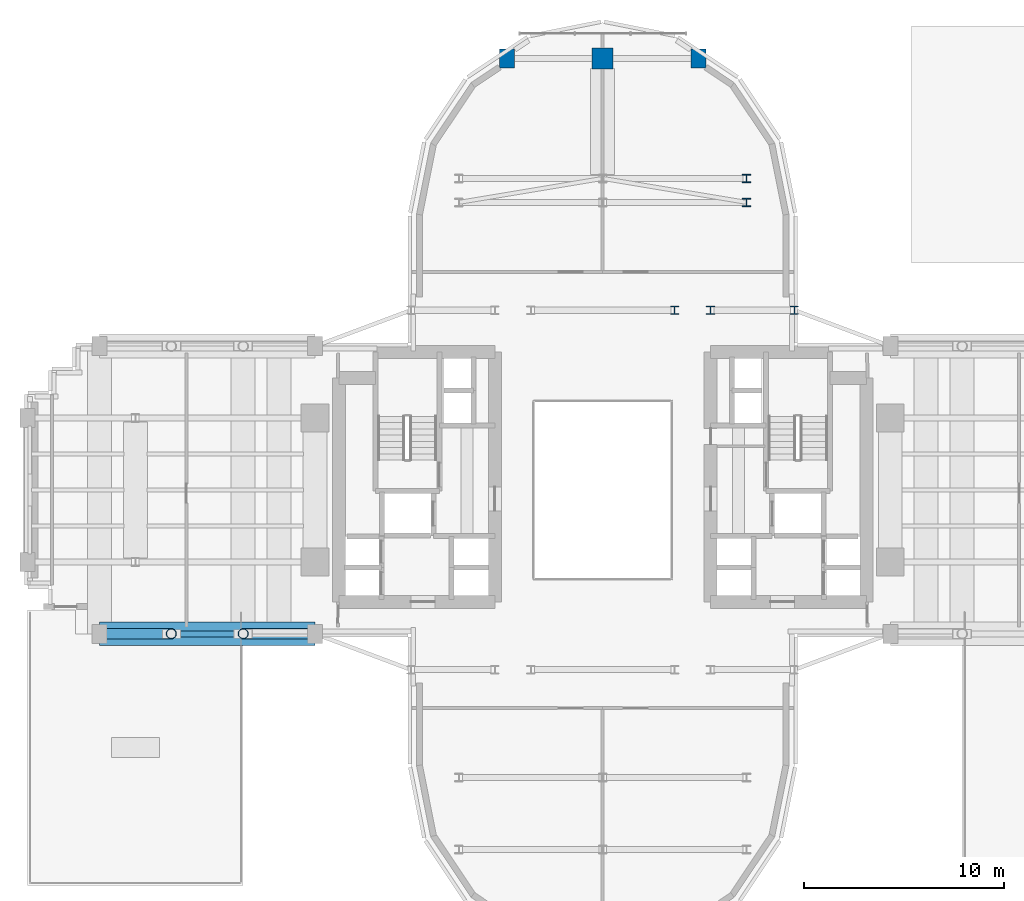
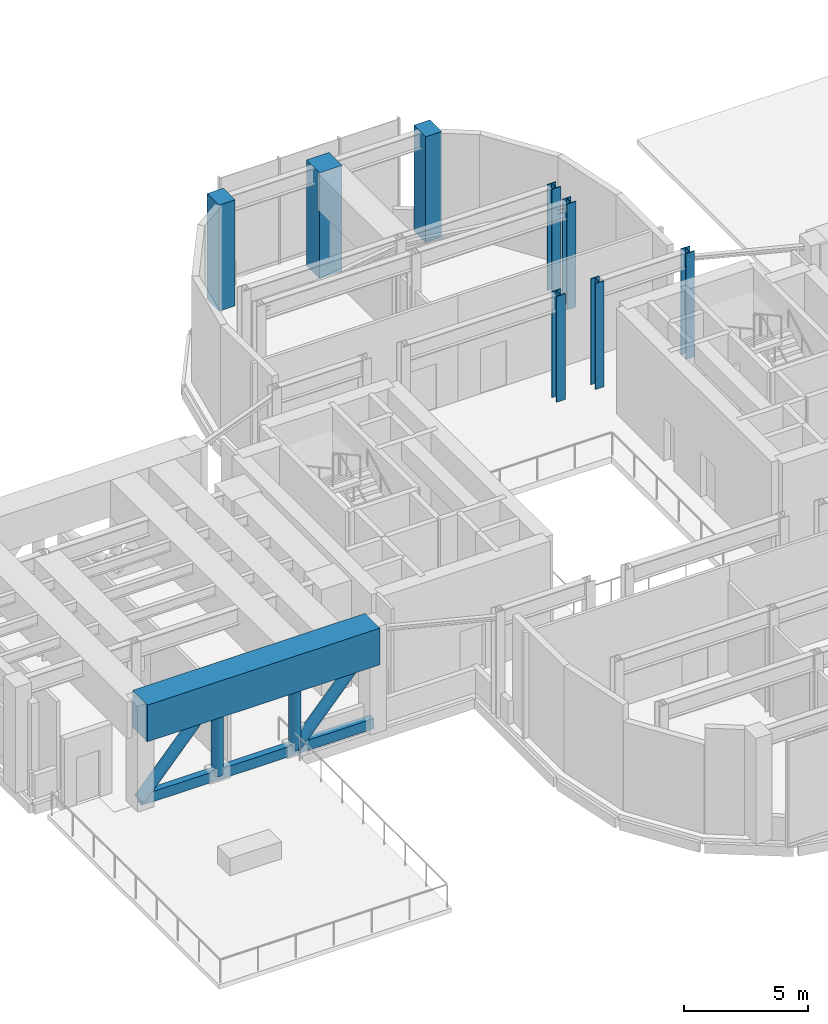
# One storey, part 2 of 16: 8 columns, 5 members, 1 beam.
"""IFC4 building model written with IfcOpenShell, lengths in metres."""

import ifcopenshell
import ifcopenshell.guid

model = None  # the IFC model being written
_history = None  # IfcOwnerHistory: only IFC2X3 demands one
_inside = {}  # id of a spatial element -> (the spatial element, [elements in it])
_under = {}  # id of a project, library or spatial element -> (it, [spatial elements below it])
_declared = {}  # id of a project -> (the project, [libraries it declares])
_typed = {}  # id of a type object -> (the type object, [elements of that type])
_made_of = {}  # id of a material, layer set ... -> (it, [elements and type objects made of it])


def new_model(schema):
    """Start an empty IFC model of exactly this schema.

    Asked for "IFC4X3", IfcOpenShell would pick the latest addendum, in which some entities
    have other attributes; the version numbers below select the first issue.
    IFC2X3 requires an IfcOwnerHistory on every rooted entity: one is made here for all.
    """
    global model, _history
    if schema == "IFC4X3":
        model = ifcopenshell.file(schema_version=(4, 3, 0, 0))
    else:
        model = ifcopenshell.file(schema=schema)
    _inside.clear()
    _under.clear()
    _declared.clear()
    _typed.clear()
    _made_of.clear()
    _history = None
    if model.schema == "IFC2X3":
        org = make("IfcOrganization", Name="unknown")
        user = make(
            "IfcPersonAndOrganization",
            ThePerson=make("IfcPerson", FamilyName="unknown"),
            TheOrganization=org,
        )
        app = make(
            "IfcApplication",
            ApplicationDeveloper=org,
            Version="unknown",
            ApplicationFullName="unknown",
            ApplicationIdentifier="unknown",
        )
        _history = make(
            "IfcOwnerHistory",
            OwningUser=user,
            OwningApplication=app,
            ChangeAction="ADDED",
            CreationDate=0,
        )
    return model


def make(cls, **values):
    """One entity of the class cls with the attributes given. An attribute that is None is left unset."""
    return model.create_entity(
        cls, **{name: value for name, value in values.items() if value is not None}
    )


def rooted(cls, **values):
    """An entity with a GlobalId (a new one), such as an element, a storey or a relation."""
    return make(cls, GlobalId=ifcopenshell.guid.new(), OwnerHistory=_history, **values)


def si_unit(unit_type, name, prefix=None):
    """IfcSIUnit, for example si_unit("LENGTHUNIT", "METRE", prefix="MILLI")."""
    return make("IfcSIUnit", UnitType=unit_type, Prefix=prefix, Name=name)


def assignment(units):
    """IfcUnitAssignment: the units of a project."""
    return None if units is None else make("IfcUnitAssignment", Units=units)


def point(xyz):
    """IfcCartesianPoint."""
    return None if xyz is None else make("IfcCartesianPoint", Coordinates=xyz)


def direction(xyz):
    """IfcDirection."""
    return None if xyz is None else make("IfcDirection", DirectionRatios=xyz)


def frame(location, z_axis=None, x_axis=None):
    """IfcAxis2Placement3D, a coordinate frame: its origin and axes. An axis left out is left unset."""
    return make(
        "IfcAxis2Placement3D",
        Location=point(location),
        Axis=direction(z_axis),
        RefDirection=direction(x_axis),
    )


def frame_2d(location, x_axis=None):
    """IfcAxis2Placement2D, a coordinate frame in the plane: its origin and x axis."""
    return make(
        "IfcAxis2Placement2D", Location=point(location), RefDirection=direction(x_axis)
    )


def origin():
    """The frame at (0, 0, 0) with its axes left unset."""
    return frame((0.0, 0.0, 0.0))


def origin_2d():
    """The frame at (0, 0) in the plane with its x axis left unset."""
    return frame_2d((0.0, 0.0))


def place(relative_to, where):
    """IfcLocalPlacement: puts the frame where relative to a parent placement (None: the world)."""
    return make(
        "IfcLocalPlacement", PlacementRelTo=relative_to, RelativePlacement=where
    )


def context(
    kind, dimensions, precision=None, world=None, true_north=None, identifier=None
):
    """IfcGeometricRepresentationContext, for example the 3D "Model" context."""
    return make(
        "IfcGeometricRepresentationContext",
        ContextIdentifier=identifier,
        ContextType=kind,
        CoordinateSpaceDimension=dimensions,
        Precision=precision,
        WorldCoordinateSystem=world,
        TrueNorth=true_north,
    )


def subcontext(parent, identifier, kind, view, scale=None):
    """IfcGeometricRepresentationSubContext, for example "Body" below "Model"."""
    return make(
        "IfcGeometricRepresentationSubContext",
        ContextIdentifier=identifier,
        ContextType=kind,
        ParentContext=parent,
        TargetScale=scale,
        TargetView=view,
    )


def project(units=None, contexts=None):
    """IfcProject with its units and contexts."""
    return rooted(
        "IfcProject",
        Name="project",
        RepresentationContexts=contexts,
        UnitsInContext=assignment(units),
    )


def spatial(cls, under=None, at=None, **own):
    """A site, building, storey or space (cls), placed at a placement, below another one or the project."""
    s = rooted(cls, ObjectPlacement=at, **own)
    if under is not None:
        _under.setdefault(under.id(), (under, []))[1].append(s)
    return s


def profile(cls, at=None, kind="AREA", **sizes):
    """A parametric profile (cls). Its sizes go by their IFC names, for example OverallWidth=200.0."""
    return make(cls, ProfileType=kind, Position=at, **sizes)


def rectangle(**sizes):
    """IfcRectangleProfileDef."""
    return profile("IfcRectangleProfileDef", **sizes)


def hollow_rectangle(**sizes):
    """IfcRectangleHollowProfileDef."""
    return profile("IfcRectangleHollowProfileDef", **sizes)


def hollow_circle(**sizes):
    """IfcCircleHollowProfileDef."""
    return profile("IfcCircleHollowProfileDef", **sizes)


def i_section(**sizes):
    """IfcIShapeProfileDef."""
    return profile("IfcIShapeProfileDef", **sizes)


def extrude(swept, where, along, depth):
    """IfcExtrudedAreaSolid: the profile swept, set in the frame where, extruded along a direction by depth."""
    return make(
        "IfcExtrudedAreaSolid",
        SweptArea=swept,
        Position=where,
        ExtrudedDirection=direction(along),
        Depth=depth,
    )


def shape(context_of_items, identifier, shape_type, items):
    """IfcShapeRepresentation: the items that make up one representation, for example the "Body"."""
    return make(
        "IfcShapeRepresentation",
        ContextOfItems=context_of_items,
        RepresentationIdentifier=identifier,
        RepresentationType=shape_type,
        Items=items,
    )


def source(mapping_origin, context_of_items, identifier, shape_type, items):
    """IfcRepresentationMap: a shape defined once, which mapped items show again and again."""
    return make(
        "IfcRepresentationMap",
        MappingOrigin=mapping_origin,
        MappedRepresentation=shape(context_of_items, identifier, shape_type, items),
    )


def transform(
    local_origin,
    x_axis=None,
    y_axis=None,
    z_axis=None,
    scale=None,
    scale2=None,
    scale3=None,
    uniform=True,
):
    """IfcCartesianTransformationOperator3D, or its non-uniform kind. x_axis, y_axis, z_axis: its Axis1, 2, 3."""
    if uniform:
        return make(
            "IfcCartesianTransformationOperator3D",
            Axis1=direction(x_axis),
            Axis2=direction(y_axis),
            LocalOrigin=point(local_origin),
            Scale=scale,
            Axis3=direction(z_axis),
        )
    return make(
        "IfcCartesianTransformationOperator3DnonUniform",
        Axis1=direction(x_axis),
        Axis2=direction(y_axis),
        LocalOrigin=point(local_origin),
        Scale=scale,
        Axis3=direction(z_axis),
        Scale2=scale2,
        Scale3=scale3,
    )


def mapped(mapping_source, mapping_target):
    """IfcMappedItem: shows the shape of a source again, moved by a transform."""
    return make(
        "IfcMappedItem", MappingSource=mapping_source, MappingTarget=mapping_target
    )


def material(Name=None, Category=None):
    """IfcMaterial."""
    return make("IfcMaterial", Name=Name, Category=Category)


def material_profile(
    of_material, cross_section, Name=None, Category=None, Priority=None
):
    """IfcMaterialProfile: a cross section and its material."""
    return make(
        "IfcMaterialProfile",
        Name=Name,
        Material=of_material,
        Profile=cross_section,
        Priority=Priority,
        Category=Category,
    )


def profile_set(profiles, Name=None, composite=None):
    """IfcMaterialProfileSet."""
    return make(
        "IfcMaterialProfileSet",
        Name=Name,
        MaterialProfiles=profiles,
        CompositeProfile=composite,
    )


def made_of(thing, what):
    """Note that an element or type object is made of a material, layer set ...; save() writes the relation."""
    if what is not None:
        _made_of.setdefault(what.id(), (what, []))[1].append(thing)
    return thing


def type_object(cls, material=None, **own):
    """A type object (cls), such as IfcWallType, which elements share."""
    return made_of(rooted(cls, **own), material)


def element(
    cls,
    number,
    at=None,
    inside=None,
    cuts=None,
    type_object=None,
    material=None,
    context=None,
    identifier="Body",
    shape_type=None,
    held_by="IfcProductDefinitionShape",
    body=None,
    shapes=None,
    **own,
):
    """One element of the class cls, such as IfcWall. Its Tag is "e" and its number.

    at: its placement. inside: the storey or other place that contains it. cuts: it is an
    opening in that element (IfcRelVoidsElement). A single representation is given by context,
    identifier, shape_type and body (its items); several are given by shapes. held_by: the class
    of the entity that holds the representations. save() writes the other relations.
    """
    e = rooted(cls, Tag="e%d" % number, ObjectPlacement=at, **own)
    if body is not None:
        shapes = [shape(context, identifier, shape_type, body)]
    if shapes is not None:
        e.Representation = make(held_by, Representations=shapes)
    if inside is not None:
        _inside.setdefault(inside.id(), (inside, []))[1].append(e)
    if cuts is not None:
        rooted(
            "IfcRelVoidsElement", RelatingBuildingElement=cuts, RelatedOpeningElement=e
        )
    if type_object is not None:
        _typed.setdefault(type_object.id(), (type_object, []))[1].append(e)
    return made_of(e, material)


def aggregate(whole, parts):
    """IfcRelAggregates: a whole, such as a stair, and the parts it consists of."""
    return rooted("IfcRelAggregates", RelatingObject=whole, RelatedObjects=parts)


def save(model, path):
    """Write the relations noted so far, then the file.

    IfcRelAggregates (storeys below a building ...), IfcRelContainedInSpatialStructure (elements
    in a storey), IfcRelDefinesByType, IfcRelAssociatesMaterial and IfcRelDeclares: one each for
    every whole, place, type object, material and project.
    """
    for whole, parts in _under.values():
        aggregate(whole, parts)
    for where, things in _inside.values():
        rooted(
            "IfcRelContainedInSpatialStructure",
            RelatedElements=things,
            RelatingStructure=where,
        )
    for kind, things in _typed.values():
        rooted("IfcRelDefinesByType", RelatedObjects=things, RelatingType=kind)
    for what, things in _made_of.values():
        rooted("IfcRelAssociatesMaterial", RelatedObjects=things, RelatingMaterial=what)
    for by, libraries in _declared.values():
        rooted("IfcRelDeclares", RelatingContext=by, RelatedDefinitions=libraries)
    model.write(path)


model = new_model("IFC4")

# Units and contexts
model_context = context("Model", 3, precision=1e-05, world=origin(), true_north=direction((0.0, 1.0)))
body_context = subcontext(model_context, "Body", "Model", "MODEL_VIEW")
ifc_project = project(units=[si_unit("LENGTHUNIT", "METRE"), si_unit("AREAUNIT", "SQUARE_METRE"), si_unit("VOLUMEUNIT", "CUBIC_METRE"), si_unit("PLANEANGLEUNIT", "RADIAN"), si_unit("MASSUNIT", "GRAM", prefix="KILO")], contexts=[model_context])

# Site, building, storey
site_placement = place(None, origin())
site = spatial("IfcSite", under=ifc_project, at=site_placement, CompositionType="ELEMENT")
building_placement = place(site_placement, origin())
building = spatial("IfcBuilding", under=site, at=building_placement, Name="Keilestroom Media Tower", CompositionType="ELEMENT")
storey_placement = place(building_placement, frame((0.0, 0.0, 25.199951171875)))
storey = spatial("IfcBuildingStorey", under=building, at=storey_placement, Name="L05", CompositionType="ELEMENT", Elevation=25.199951171875)

# Columns
ifc_material_1 = material(Name="Precast concrete C40/50", Category="concrete")
ifc_material_profile_1 = material_profile(ifc_material_1, rectangle(XDim=0.75, YDim=0.949951171875, at=origin_2d()), Name="PC 950x750")
ifc_profile_set_1 = profile_set([ifc_material_profile_1], Name="Precast concrete C40/50")
column_type_1 = type_object("IfcColumnType", Name="Structural-Column-PC-950x750", PredefinedType="COLUMN", material=ifc_profile_set_1)
shared_shape_1 = source(origin(), body_context, "Body", "SweptSolid", [
    extrude(rectangle(XDim=0.75, YDim=0.949951171875, at=origin_2d()), origin(), (0.0, 0.0, 1.0), 5.199951171875),
])
for number, where, z_axis, x_axis, name in (
    (1, (-4.800048828125, 21.60009765625, 0.0), (0.0, 0.0, 1.0), (1.0, 0.0, 0.0), "L05 Column PC-1 (-4.8,+21.6)"),
    (2, (4.800048828125, 21.60009765625, 0.0), (0.0, 0.0, 1.0), (1.0, 0.0, 0.0), "L05 Column PC-1 (+4.8,+21.6)"),
):
    element("IfcColumn", number, at=place(storey_placement, frame(where, z_axis=z_axis, x_axis=x_axis)), inside=storey, type_object=column_type_1, Name=name, PredefinedType="COLUMN", context=body_context, shape_type="MappedRepresentation", body=[
        mapped(shared_shape_1, transform((0.0, 0.0, 0.0), x_axis=(1.0, 0.0, 0.0), y_axis=(0.0, 1.0, 0.0), z_axis=(0.0, 0.0, 1.0), scale=1.0)),
    ])
ifc_material_2 = material(Name="Steel S460", Category="steel")
ifc_material_profile_2 = material_profile(ifc_material_2, i_section(OverallWidth=0.406005859375, OverallDepth=0.416015625, WebThickness=0.02392578125, FlangeThickness=0.0390625, at=origin_2d()), Name="HD 400x382")
ifc_profile_set_2 = profile_set([ifc_material_profile_2], Name="Steel S460")
column_type_2 = type_object("IfcColumnType", Name="Structural-Column-HD-400x382", PredefinedType="COLUMN", material=ifc_profile_set_2)
shared_shape_2 = source(origin(), body_context, "Body", "SweptSolid", [
    extrude(i_section(OverallWidth=0.406005859375, OverallDepth=0.416015625, WebThickness=0.02392578125, FlangeThickness=0.0390625, at=origin_2d()), origin(), (0.0, 0.0, 1.0), 5.199951171875),
])
for number, where, z_axis, x_axis, name in (
    (3, (3.60009765625, 9.0, 0.0), (0.0, 0.0, 1.0), (1.0, 0.0, 0.0), "L05 Column SC-1 (+3.6,+9.0)"),
    (4, (5.39990234375, 9.0, 0.0), (0.0, 0.0, 1.0), (1.0, 0.0, 0.0), "L05 Column SC-1 (+5.4,+9.0)"),
    (5, (7.199951171875, 14.39990234375, 0.0), (0.0, 0.0, 1.0), (1.0, 0.0, 0.0), "L05 Column SC-1 (+7.2,+14.4)"),
    (6, (7.199951171875, 15.60009765625, 0.0), (0.0, 0.0, 1.0), (1.0, 0.0, 0.0), "L05 Column SC-1 (+7.2,+15.6)"),
    (7, (9.60009765625, 9.0, 0.0), (0.0, 0.0, 1.0), (1.0, 0.0, 0.0), "L05 Column SC-1 (+9.6,+9.0)"),
):
    element("IfcColumn", number, at=place(storey_placement, frame(where, z_axis=z_axis, x_axis=x_axis)), inside=storey, type_object=column_type_2, Name=name, PredefinedType="COLUMN", context=body_context, shape_type="MappedRepresentation", body=[
        mapped(shared_shape_2, transform((0.0, 0.0, 0.0), x_axis=(1.0, 0.0, 0.0), y_axis=(0.0, 1.0, 0.0), z_axis=(0.0, 0.0, 1.0), scale=1.0)),
    ])
ifc_material_3 = material(Name="Concrete C55/67", Category="concrete")
ifc_material_profile_3 = material_profile(ifc_material_3, rectangle(XDim=1.050048828125, YDim=1.050048828125, at=origin_2d()), Name="RC 1050x1050")
ifc_profile_set_3 = profile_set([ifc_material_profile_3], Name="Concrete C55/67")
column_type_3 = type_object("IfcColumnType", Name="Structural-Column-RC-1050x1050", PredefinedType="COLUMN", material=ifc_profile_set_3)
shared_shape_3 = source(origin(), body_context, "Body", "SweptSolid", [
    extrude(rectangle(XDim=1.050048828125, YDim=1.050048828125, at=origin_2d()), origin(), (0.0, 0.0, 1.0), 5.199951171875),
])
column_placement = place(storey_placement, frame((0.0, 21.60009765625, 0.0), z_axis=(0.0, 0.0, 1.0), x_axis=(1.0, 0.0, 0.0)))
element("IfcColumn", 8, at=column_placement, inside=storey, type_object=column_type_3, Name="L05 Column MC-3 (+0.0,+21.6)", PredefinedType="COLUMN", context=body_context, shape_type="MappedRepresentation", body=[
    mapped(shared_shape_3, transform((0.0, 0.0, 0.0), x_axis=(1.0, 0.0, 0.0), y_axis=(0.0, 1.0, 0.0), z_axis=(0.0, 0.0, 1.0), scale=1.0)),
])

# Beam
ifc_material_4 = material(Name="Concrete C60/75", Category="concrete")
ifc_material_profile_4 = material_profile(ifc_material_4, rectangle(XDim=1.199951171875, YDim=1.800048828125, at=origin_2d()), Name="RC 1200x1800")
ifc_profile_set_4 = profile_set([ifc_material_profile_4], Name="Concrete C60/75")
beam_type = type_object("IfcBeamType", Name="Primary-Structural-Girder-RC-1200x1800", PredefinedType="BEAM", material=ifc_profile_set_4)
shared_shape_4 = source(origin(), body_context, "Body", "SweptSolid", [
    extrude(rectangle(XDim=1.199951171875, YDim=1.800048828125, at=origin_2d()), origin(), (0.0, 0.0, 1.0), 10.800048828125),
])
beam_placement = place(storey_placement, frame((-25.199951171875, -7.199951171875, 4.300048828125), z_axis=(1.0, 0.0, 0.0), x_axis=(0.0, 1.0, 0.0)))
element("IfcBeam", 9, at=beam_placement, inside=storey, type_object=beam_type, Name="L05 Beam TG-1 BM-L05-TG1-01", PredefinedType="BEAM", context=body_context, shape_type="MappedRepresentation", body=[
    mapped(shared_shape_4, transform((0.0, 0.0, 0.0), x_axis=(1.0, 0.0, 0.0), y_axis=(0.0, 1.0, 0.0), z_axis=(0.0, 0.0, 1.0), scale=1.0)),
])

# Members
ifc_material_profile_5 = material_profile(ifc_material_2, hollow_rectangle(XDim=0.300048828125, YDim=0.5, WallThickness=0.02001953125, at=origin_2d()), Name="RHS 500x300x20")
ifc_profile_set_5 = profile_set([ifc_material_profile_5], Name="Steel S460")
member_type_1 = type_object("IfcMemberType", Name="Transfer-And-Belt-Truss-Chord-RHS-500x300x20", PredefinedType="CHORD", material=ifc_profile_set_5)
shared_shape_5 = source(origin(), body_context, "Body", "SweptSolid", [
    extrude(hollow_rectangle(XDim=0.300048828125, YDim=0.5, WallThickness=0.02001953125, at=origin_2d()), origin(), (0.0, 0.0, 1.0), 10.800048828125),
])
member_placement = place(storey_placement, frame((-25.199951171875, -7.199951171875, 0.25), z_axis=(1.0, 0.0, 0.0), x_axis=(0.0, 1.0, 0.0)))
element("IfcMember", 10, at=member_placement, inside=storey, type_object=member_type_1, Name="L05 Transfer Truss TT-1 Bottom Chord", PredefinedType="CHORD", context=body_context, shape_type="MappedRepresentation", body=[
    mapped(shared_shape_5, transform((0.0, 0.0, 0.0), x_axis=(1.0, 0.0, 0.0), y_axis=(0.0, 1.0, 0.0), z_axis=(0.0, 0.0, 1.0), scale=1.0)),
])
ifc_material_profile_6 = material_profile(ifc_material_2, hollow_circle(Radius=0.25390625, WallThickness=0.02001953125, at=origin_2d()), Name="CHS 508x20")
ifc_profile_set_6 = profile_set([ifc_material_profile_6], Name="Steel S460")
member_type_2 = type_object("IfcMemberType", Name="Outrigger-And-Belt-Brace-Transfer-CHS-508x20", PredefinedType="BRACE", material=ifc_profile_set_6)
shared_shape_6 = source(origin(), body_context, "Body", "SweptSolid", [
    extrude(hollow_circle(Radius=0.25390625, WallThickness=0.02001953125, at=origin_2d()), origin(), (0.0, 0.0, 1.0), 5.418701171875),
])
for number, where, z_axis, x_axis, name in (
    (11, (-25.199951171875, -7.199951171875, 0.25), (0.664344262737, 0.0, 0.747426719196), (0.0, 1.0, 0.0), "L05 Transfer Truss TT-1 Diagonal 1"),
    (12, (-18.0, -7.199951171875, 0.25), (0.664369431748, 0.0, 0.747404347163), (0.0, 1.0, 0.0), "L05 Transfer Truss TT-1 Diagonal 3"),
):
    element("IfcMember", number, at=place(storey_placement, frame(where, z_axis=z_axis, x_axis=x_axis)), inside=storey, type_object=member_type_2, Name=name, PredefinedType="BRACE", context=body_context, shape_type="MappedRepresentation", body=[
        mapped(shared_shape_6, transform((0.0, 0.0, 0.0), x_axis=(1.0, 0.0, 0.0), y_axis=(0.0, 1.0, 0.0), z_axis=(0.0, 0.0, 1.0), scale=1.0)),
    ])
ifc_material_profile_7 = material_profile(ifc_material_2, hollow_circle(Radius=0.25390625, WallThickness=0.02001953125, at=origin_2d()), Name="CHS 508x20")
ifc_profile_set_7 = profile_set([ifc_material_profile_7], Name="Steel S460")
member_type_3 = type_object("IfcMemberType", Name="Crown-Strut-And-Mast-Member-Crown-Frame-CHS-508x20", PredefinedType="STRUT", material=ifc_profile_set_7)
shared_shape_7 = source(origin(), body_context, "Body", "SweptSolid", [
    extrude(hollow_circle(Radius=0.25390625, WallThickness=0.02001953125, at=origin_2d()), origin(), (0.0, 0.0, 1.0), 4.050048828125),
])
for number, where, z_axis, x_axis, name in (
    (13, (-21.60009765625, -7.199951171875, 0.25), (0.0, 0.0, 1.0), (1.0, 0.0, 0.0), "L05 Transfer Truss TT-1 Web Strut (-21.6,-7.2)"),
    (14, (-18.0, -7.199951171875, 0.25), (0.0, 0.0, 1.0), (1.0, 0.0, 0.0), "L05 Transfer Truss TT-1 Web Strut (-18.0,-7.2)"),
):
    element("IfcMember", number, at=place(storey_placement, frame(where, z_axis=z_axis, x_axis=x_axis)), inside=storey, type_object=member_type_3, Name=name, PredefinedType="STRUT", context=body_context, shape_type="MappedRepresentation", body=[
        mapped(shared_shape_7, transform((0.0, 0.0, 0.0), x_axis=(1.0, 0.0, 0.0), y_axis=(0.0, 1.0, 0.0), z_axis=(0.0, 0.0, 1.0), scale=1.0)),
    ])

save(model, "model.ifc")
